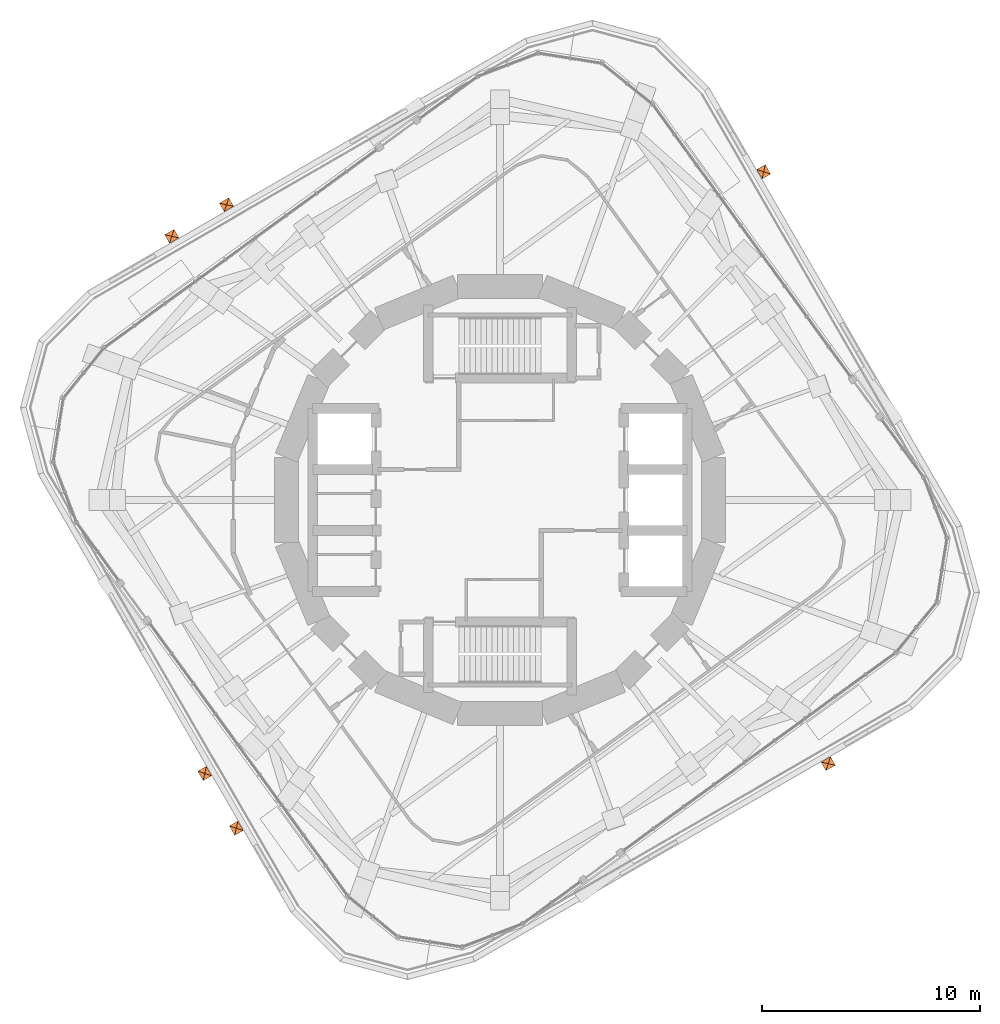
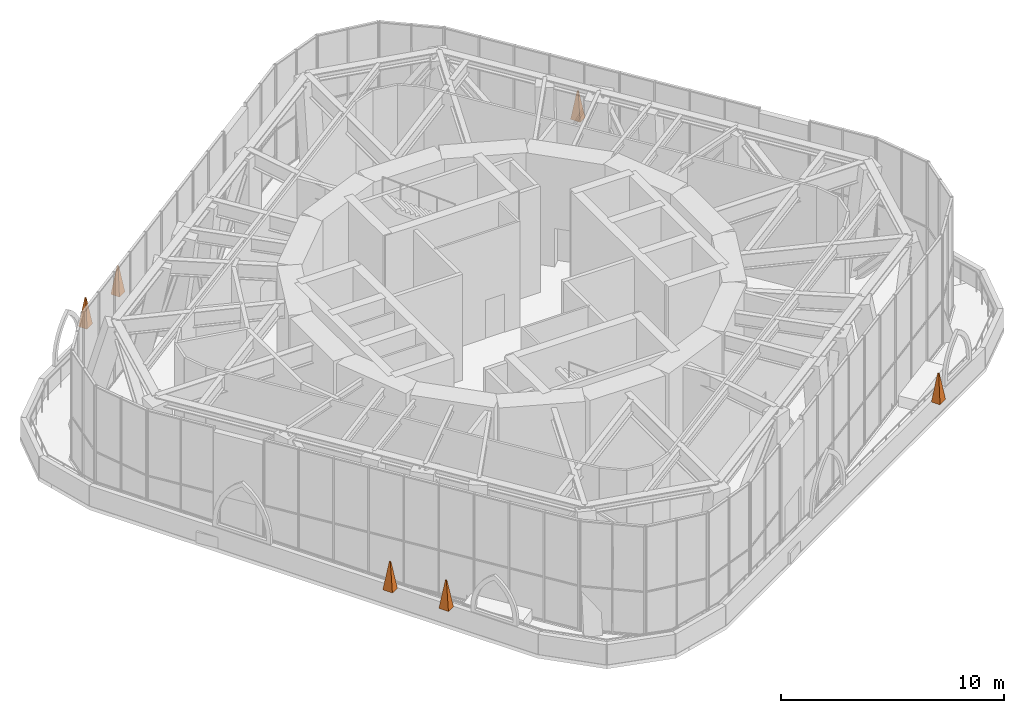
# One storey, part 18 of 18: 6 proxies.
"""IFC4 building model written with IfcOpenShell, lengths in metres."""

import ifcopenshell
import ifcopenshell.guid

model = None  # the IFC model being written
_history = None  # IfcOwnerHistory: only IFC2X3 demands one
_inside = {}  # id of a spatial element -> (the spatial element, [elements in it])
_under = {}  # id of a project, library or spatial element -> (it, [spatial elements below it])
_declared = {}  # id of a project -> (the project, [libraries it declares])
_typed = {}  # id of a type object -> (the type object, [elements of that type])
_made_of = {}  # id of a material, layer set ... -> (it, [elements and type objects made of it])


def new_model(schema):
    """Start an empty IFC model of exactly this schema.

    Asked for "IFC4X3", IfcOpenShell would pick the latest addendum, in which some entities
    have other attributes; the version numbers below select the first issue.
    IFC2X3 requires an IfcOwnerHistory on every rooted entity: one is made here for all.
    """
    global model, _history
    if schema == "IFC4X3":
        model = ifcopenshell.file(schema_version=(4, 3, 0, 0))
    else:
        model = ifcopenshell.file(schema=schema)
    _inside.clear()
    _under.clear()
    _declared.clear()
    _typed.clear()
    _made_of.clear()
    _history = None
    if model.schema == "IFC2X3":
        org = make("IfcOrganization", Name="unknown")
        user = make(
            "IfcPersonAndOrganization",
            ThePerson=make("IfcPerson", FamilyName="unknown"),
            TheOrganization=org,
        )
        app = make(
            "IfcApplication",
            ApplicationDeveloper=org,
            Version="unknown",
            ApplicationFullName="unknown",
            ApplicationIdentifier="unknown",
        )
        _history = make(
            "IfcOwnerHistory",
            OwningUser=user,
            OwningApplication=app,
            ChangeAction="ADDED",
            CreationDate=0,
        )
    return model


def make(cls, **values):
    """One entity of the class cls with the attributes given. An attribute that is None is left unset."""
    return model.create_entity(
        cls, **{name: value for name, value in values.items() if value is not None}
    )


def entity(cls, *values):
    """Any entity or typed value of the class cls, its attributes in the order of the schema. None: left unset."""
    e = model.create_entity(cls)
    for i, value in enumerate(values):
        if value is not None:
            e[i] = value
    return e


def rooted(cls, **values):
    """An entity with a GlobalId (a new one), such as an element, a storey or a relation."""
    return make(cls, GlobalId=ifcopenshell.guid.new(), OwnerHistory=_history, **values)


def si_unit(unit_type, name, prefix=None):
    """IfcSIUnit, for example si_unit("LENGTHUNIT", "METRE", prefix="MILLI")."""
    return make("IfcSIUnit", UnitType=unit_type, Prefix=prefix, Name=name)


def assignment(units):
    """IfcUnitAssignment: the units of a project."""
    return None if units is None else make("IfcUnitAssignment", Units=units)


def point(xyz):
    """IfcCartesianPoint."""
    return None if xyz is None else make("IfcCartesianPoint", Coordinates=xyz)


def direction(xyz):
    """IfcDirection."""
    return None if xyz is None else make("IfcDirection", DirectionRatios=xyz)


def frame(location, z_axis=None, x_axis=None):
    """IfcAxis2Placement3D, a coordinate frame: its origin and axes. An axis left out is left unset."""
    return make(
        "IfcAxis2Placement3D",
        Location=point(location),
        Axis=direction(z_axis),
        RefDirection=direction(x_axis),
    )


def origin():
    """The frame at (0, 0, 0) with its axes left unset."""
    return frame((0.0, 0.0, 0.0))


def place(relative_to, where):
    """IfcLocalPlacement: puts the frame where relative to a parent placement (None: the world)."""
    return make(
        "IfcLocalPlacement", PlacementRelTo=relative_to, RelativePlacement=where
    )


def context(
    kind, dimensions, precision=None, world=None, true_north=None, identifier=None
):
    """IfcGeometricRepresentationContext, for example the 3D "Model" context."""
    return make(
        "IfcGeometricRepresentationContext",
        ContextIdentifier=identifier,
        ContextType=kind,
        CoordinateSpaceDimension=dimensions,
        Precision=precision,
        WorldCoordinateSystem=world,
        TrueNorth=true_north,
    )


def subcontext(parent, identifier, kind, view, scale=None):
    """IfcGeometricRepresentationSubContext, for example "Body" below "Model"."""
    return make(
        "IfcGeometricRepresentationSubContext",
        ContextIdentifier=identifier,
        ContextType=kind,
        ParentContext=parent,
        TargetScale=scale,
        TargetView=view,
    )


def project(units=None, contexts=None):
    """IfcProject with its units and contexts."""
    return rooted(
        "IfcProject",
        Name="project",
        RepresentationContexts=contexts,
        UnitsInContext=assignment(units),
    )


def spatial(cls, under=None, at=None, **own):
    """A site, building, storey or space (cls), placed at a placement, below another one or the project."""
    s = rooted(cls, ObjectPlacement=at, **own)
    if under is not None:
        _under.setdefault(under.id(), (under, []))[1].append(s)
    return s


def shape(context_of_items, identifier, shape_type, items):
    """IfcShapeRepresentation: the items that make up one representation, for example the "Body"."""
    return make(
        "IfcShapeRepresentation",
        ContextOfItems=context_of_items,
        RepresentationIdentifier=identifier,
        RepresentationType=shape_type,
        Items=items,
    )


def material(Name=None, Category=None):
    """IfcMaterial."""
    return make("IfcMaterial", Name=Name, Category=Category)


def made_of(thing, what):
    """Note that an element or type object is made of a material, layer set ...; save() writes the relation."""
    if what is not None:
        _made_of.setdefault(what.id(), (what, []))[1].append(thing)
    return thing


def type_object(cls, material=None, **own):
    """A type object (cls), such as IfcWallType, which elements share."""
    return made_of(rooted(cls, **own), material)


def element(
    cls,
    number,
    at=None,
    inside=None,
    cuts=None,
    type_object=None,
    material=None,
    context=None,
    identifier="Body",
    shape_type=None,
    held_by="IfcProductDefinitionShape",
    body=None,
    shapes=None,
    **own,
):
    """One element of the class cls, such as IfcWall. Its Tag is "e" and its number.

    at: its placement. inside: the storey or other place that contains it. cuts: it is an
    opening in that element (IfcRelVoidsElement). A single representation is given by context,
    identifier, shape_type and body (its items); several are given by shapes. held_by: the class
    of the entity that holds the representations. save() writes the other relations.
    """
    e = rooted(cls, Tag="e%d" % number, ObjectPlacement=at, **own)
    if body is not None:
        shapes = [shape(context, identifier, shape_type, body)]
    if shapes is not None:
        e.Representation = make(held_by, Representations=shapes)
    if inside is not None:
        _inside.setdefault(inside.id(), (inside, []))[1].append(e)
    if cuts is not None:
        rooted(
            "IfcRelVoidsElement", RelatingBuildingElement=cuts, RelatedOpeningElement=e
        )
    if type_object is not None:
        _typed.setdefault(type_object.id(), (type_object, []))[1].append(e)
    return made_of(e, material)


def aggregate(whole, parts):
    """IfcRelAggregates: a whole, such as a stair, and the parts it consists of."""
    return rooted("IfcRelAggregates", RelatingObject=whole, RelatedObjects=parts)


def save(model, path):
    """Write the relations noted so far, then the file.

    IfcRelAggregates (storeys below a building ...), IfcRelContainedInSpatialStructure (elements
    in a storey), IfcRelDefinesByType, IfcRelAssociatesMaterial and IfcRelDeclares: one each for
    every whole, place, type object, material and project.
    """
    for whole, parts in _under.values():
        aggregate(whole, parts)
    for where, things in _inside.values():
        rooted(
            "IfcRelContainedInSpatialStructure",
            RelatedElements=things,
            RelatingStructure=where,
        )
    for kind, things in _typed.values():
        rooted("IfcRelDefinesByType", RelatedObjects=things, RelatingType=kind)
    for what, things in _made_of.values():
        rooted("IfcRelAssociatesMaterial", RelatedObjects=things, RelatingMaterial=what)
    for by, libraries in _declared.values():
        rooted("IfcRelDeclares", RelatingContext=by, RelatedDefinitions=libraries)
    model.write(path)


model = new_model("IFC4")

# Units and contexts
model_context = context("Model", 3, precision=1e-05, world=origin(), true_north=direction((0.0, 1.0)))
body_context = subcontext(model_context, "Body", "Model", "MODEL_VIEW")
ifc_project = project(units=[si_unit("LENGTHUNIT", "METRE"), si_unit("AREAUNIT", "SQUARE_METRE"), si_unit("VOLUMEUNIT", "CUBIC_METRE"), si_unit("PLANEANGLEUNIT", "RADIAN"), si_unit("MASSUNIT", "GRAM", prefix="KILO")], contexts=[model_context])

# Site, building, storey
site_placement = place(None, origin())
site = spatial("IfcSite", under=ifc_project, at=site_placement, CompositionType="ELEMENT")
building_placement = place(site_placement, origin())
building = spatial("IfcBuilding", under=site, at=building_placement, Name="Nakasero Lantern House", CompositionType="ELEMENT")
storey_placement = place(building_placement, frame((0.0, 0.0, 257.75)))
storey = spatial("IfcBuildingStorey", under=building, at=storey_placement, Name="L63", CompositionType="ELEMENT", Elevation=257.75)

# Proxies
ifc_material = material(Name="Concrete C40/50 precast", Category="concrete")
building_element_proxy_type = type_object("IfcBuildingElementProxyType", Name="Pinnacle 500x450", PredefinedType="USERDEFINED", material=ifc_material)
for number, where, z_axis, x_axis, name in (
    (1, (12.1103515625, 15.07421875, 1.10009765625), (0.0, 0.0, 1.0), (0.866025403784, 0.5, 0.0), "Pinnacle B6 0-00"),
    (2, (-12.562744140625, 13.560302734375, 1.10009765625), (0.0, 0.0, 1.0), (-0.5, 0.866025403784, 0.0), "Pinnacle B6 1-00"),
    (3, (-15.07421875, 12.1103515625, 1.10009765625), (0.0, 0.0, 1.0), (-0.5, 0.866025403784, 0.0), "Pinnacle B6 1-01"),
    (4, (-13.560302734375, -12.562744140625, 1.10009765625), (0.0, 0.0, 1.0), (-0.866025403784, -0.5, 0.0), "Pinnacle B6 2-00"),
    (5, (-12.1103515625, -15.07421875, 1.10009765625), (0.0, 0.0, 1.0), (-0.866025403784, -0.5, 0.0), "Pinnacle B6 2-01"),
    (6, (15.07421875, -12.1103515625, 1.10009765625), (0.0, 0.0, 1.0), (0.5, -0.866025403784, 0.0), "Pinnacle B6 3-00"),
):
    element("IfcBuildingElementProxy", number, at=place(storey_placement, frame(where, z_axis=z_axis, x_axis=x_axis)), inside=storey, type_object=building_element_proxy_type, Name=name, ObjectType="PINNACLE", PredefinedType="USERDEFINED", context=body_context, shape_type="SweptSolid", body=[
        entity("IfcExtrudedAreaSolidTapered", entity("IfcRectangleProfileDef", "AREA", None, entity("IfcAxis2Placement2D", entity("IfcCartesianPoint", [0.0, 0.0])), 0.449951171875, 0.5), entity("IfcAxis2Placement3D", entity("IfcCartesianPoint", [0.0, 0.0, 0.0])), entity("IfcDirection", [0.0, 0.0, 1.0]), 1.5, entity("IfcRectangleProfileDef", "AREA", None, entity("IfcAxis2Placement2D", entity("IfcCartesianPoint", [0.0, 0.0])), 0.06005859375, 0.06005859375)),
    ])

save(model, "model.ifc")
